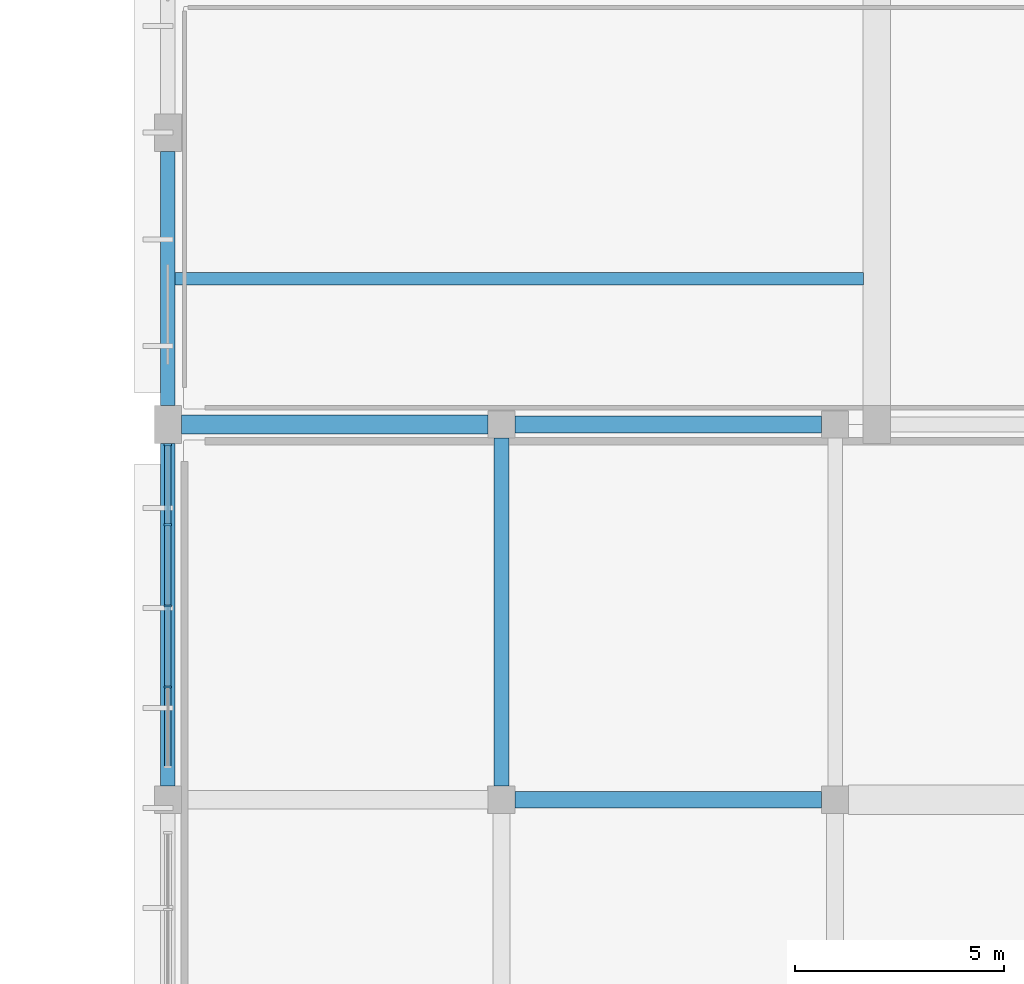
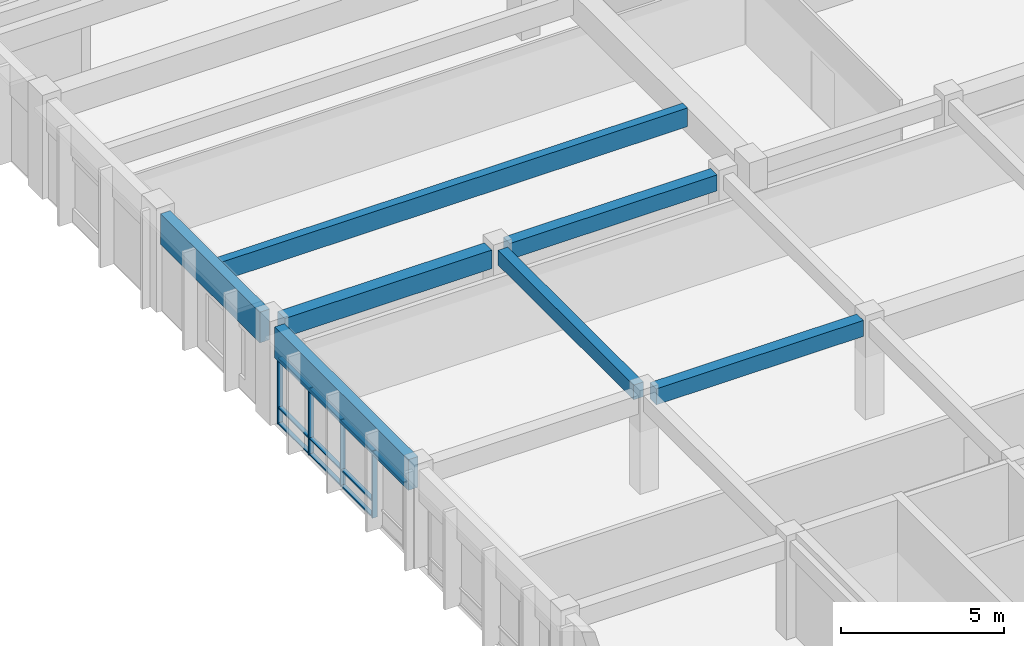
# One storey, part 13 of 98: 14 members, 7 beams, 1 element without a shape of its own.
"""IFC4 building model written with IfcOpenShell, lengths in metres."""

from ifc_helpers import new_model, si_unit, direction, frame, origin, origin_2d, place, context, subcontext, project, spatial, rectangle, extrude, material, material_profile, profile_set, type_object, element, aggregate, save


model = new_model("IFC4")

# Units and contexts
model_context = context("Model", 3, precision=1e-05, world=origin(), true_north=direction((0.0, 1.0)))
body_context = subcontext(model_context, "Body", "Model", "MODEL_VIEW")
ifc_project = project(units=[si_unit("LENGTHUNIT", "METRE"), si_unit("AREAUNIT", "SQUARE_METRE"), si_unit("VOLUMEUNIT", "CUBIC_METRE"), si_unit("PLANEANGLEUNIT", "RADIAN"), si_unit("MASSUNIT", "GRAM", prefix="KILO")], contexts=[model_context])

# Site, building, storey
site_placement = place(None, origin())
site = spatial("IfcSite", under=ifc_project, at=site_placement, CompositionType="ELEMENT")
building_placement = place(site_placement, origin())
building = spatial("IfcBuilding", under=site, at=building_placement, Name="Larkveld Mobility Hub", CompositionType="ELEMENT")
storey_placement = place(building_placement, frame((0.0, 0.0, 4.5)))
storey = spatial("IfcBuildingStorey", under=building, at=storey_placement, Name="L01", CompositionType="ELEMENT", Elevation=4.5)

# Beams
ifc_material_1 = material(Name="Precast concrete C50/60", Category="concrete")
ifc_material_profile_1 = material_profile(ifc_material_1, rectangle(XDim=0.300048828125, YDim=0.699951171875, at=origin_2d()), Name="PC DT 300x700")
ifc_profile_set_1 = profile_set([ifc_material_profile_1], Name="Precast concrete C50/60")
beam_type_1 = type_object("IfcBeamType", Name="BM-DT3070", PredefinedType="T_BEAM", material=ifc_profile_set_1)
beam_1_placement = place(storey_placement, frame((112.169921875, 31.5, 3.320068359375), z_axis=(1.0, 0.0, 0.0), x_axis=(0.0, 1.0, 0.0)))
element("IfcBeam", 1, at=beam_1_placement, inside=storey, type_object=beam_type_1, Name="Precast Double-Tee Stem L01-1049", PredefinedType="T_BEAM", context=body_context, shape_type="SweptSolid", body=[
    extrude(rectangle(XDim=0.300048828125, YDim=0.699951171875, at=origin_2d()), origin(), (0.0, 0.0, 1.0), 16.510009765625),
])
ifc_material_2 = material(Name="Concrete C40/50", Category="concrete")
ifc_material_profile_2 = material_profile(ifc_material_2, rectangle(XDim=0.35009765625, YDim=0.550048828125, at=origin_2d()), Name="RC BM 350x550")
ifc_profile_set_2 = profile_set([ifc_material_profile_2], Name="Concrete C40/50")
beam_type_2 = type_object("IfcBeamType", Name="BM-RC3555", PredefinedType="BEAM", material=ifc_profile_set_2)
beam_2_placement = place(storey_placement, frame((120.0, 19.324951171875, 3.385009765625), z_axis=(0.0, 1.0, 0.0), x_axis=(-1.0, 0.0, 0.0)))
element("IfcBeam", 2, at=beam_2_placement, inside=storey, type_object=beam_type_2, Name="Primary N-S Girder L01-0413", PredefinedType="BEAM", context=body_context, shape_type="SweptSolid", body=[
    extrude(rectangle(XDim=0.35009765625, YDim=0.550048828125, at=origin_2d()), origin(), (0.0, 0.0, 1.0), 8.35009765625),
])
ifc_material_profile_3 = material_profile(ifc_material_2, rectangle(XDim=0.39990234375, YDim=0.60009765625, at=origin_2d()), Name="RC BM 400x600")
ifc_profile_set_3 = profile_set([ifc_material_profile_3], Name="Concrete C40/50")
beam_type_3 = type_object("IfcBeamType", Name="BM-RC4060", PredefinedType="BEAM", material=ifc_profile_set_3)
for number, where, z_axis, x_axis, name in (
    (3, (120.324951171875, 19.0, 3.360107421875), (1.0, 0.0, 0.0), (0.0, 1.0, 0.0), "Primary E-W Girder L01-0257"),
    (4, (120.324951171875, 28.0, 3.360107421875), (1.0, 0.0, 0.0), (0.0, 1.0, 0.0), "Primary E-W Girder L01-0264"),
):
    element("IfcBeam", number, at=place(storey_placement, frame(where, z_axis=z_axis, x_axis=x_axis)), inside=storey, type_object=beam_type_3, Name=name, PredefinedType="BEAM", context=body_context, shape_type="SweptSolid", body=[
        extrude(rectangle(XDim=0.39990234375, YDim=0.60009765625, at=origin_2d()), origin(), (0.0, 0.0, 1.0), 7.35009765625),
    ])
ifc_material_profile_4 = material_profile(ifc_material_2, rectangle(XDim=0.449951171875, YDim=0.699951171875, at=origin_2d()), Name="RC BM 450x700")
ifc_profile_set_4 = profile_set([ifc_material_profile_4], Name="Concrete C40/50")
beam_type_4 = type_object("IfcBeamType", Name="BM-RC4570", PredefinedType="BEAM", material=ifc_profile_set_4)
beam_3_placement = place(storey_placement, frame((112.324951171875, 28.0, 3.31005859375), z_axis=(1.0, 0.0, 0.0), x_axis=(0.0, 1.0, 0.0)))
element("IfcBeam", 5, at=beam_3_placement, inside=storey, type_object=beam_type_4, Name="Primary E-W Girder L01-0263", PredefinedType="BEAM", context=body_context, shape_type="SweptSolid", body=[
    extrude(rectangle(XDim=0.449951171875, YDim=0.699951171875, at=origin_2d()), origin(), (0.0, 0.0, 1.0), 7.35009765625),
])
ifc_material_profile_5 = material_profile(ifc_material_1, rectangle(XDim=0.35009765625, YDim=1.14990234375, at=origin_2d()), Name="PC SP 350x1150")
ifc_profile_set_5 = profile_set([ifc_material_profile_5], Name="Precast concrete C50/60")
beam_type_5 = type_object("IfcBeamType", Name="BM-SP35115", PredefinedType="SPANDREL", material=ifc_profile_set_5)
beam_4_placement = place(storey_placement, frame((112.0, 19.324951171875, 3.0849609375), z_axis=(0.0, 1.0, 0.0), x_axis=(-1.0, 0.0, 0.0)))
element("IfcBeam", 6, at=beam_4_placement, inside=storey, type_object=beam_type_5, Name="Primary N-S Girder L01-0396", PredefinedType="SPANDREL", context=body_context, shape_type="SweptSolid", body=[
    extrude(rectangle(XDim=0.35009765625, YDim=1.14990234375, at=origin_2d()), origin(), (0.0, 0.0, 1.0), 8.22509765625),
])
beam_5_placement = place(storey_placement, frame((112.0, 28.449951171875, 3.0849609375), z_axis=(0.0, 1.0, 0.0), x_axis=(-1.0, 0.0, 0.0)))
element("IfcBeam", 7, at=beam_5_placement, inside=storey, type_object=beam_type_5, Name="Primary N-S Girder L01-0397", PredefinedType="SPANDREL", context=body_context, shape_type="SweptSolid", body=[
    extrude(rectangle(XDim=0.35009765625, YDim=1.14990234375, at=origin_2d()), origin(), (0.0, 0.0, 1.0), 6.10009765625),
])

# Curtain wall, members
ifc_material_3 = material(Name="Anodised aluminium 6063-T6", Category="aluminium")
curtain_wall_type = type_object("IfcCurtainWallType", Name="CW-SYS-02", PredefinedType="NOTDEFINED", material=ifc_material_3)
curtain_wall_placement = place(storey_placement, origin())
curtain_wall = element("IfcCurtainWall", 8, at=curtain_wall_placement, inside=storey, type_object=curtain_wall_type, Name="Public Passage East Service Facade L01 CW-098", PredefinedType="NOTDEFINED")
ifc_material_profile_6 = material_profile(ifc_material_3, rectangle(XDim=0.050048828125, YDim=0.179931640625, at=origin_2d()), Name="ALU MULL 50x180")
ifc_profile_set_6 = profile_set([ifc_material_profile_6], Name="Anodised aluminium 6063-T6")
member_type_1 = type_object("IfcMemberType", Name="CW-MUL-02", PredefinedType="MULLION", material=ifc_profile_set_6)
member_1_placement = place(storey_placement, frame((112.0, 27.514892578125, -0.001953125), z_axis=(0.0, 0.0, 1.0), x_axis=(0.0, -1.0, 0.0)))
member_1 = element("IfcMember", 9, at=member_1_placement, type_object=member_type_1, Name="CW02 mullion 1", PredefinedType="MULLION", context=body_context, shape_type="SweptSolid", body=[
    extrude(rectangle(XDim=0.050048828125, YDim=0.179931640625, at=origin_2d()), origin(), (0.0, 0.0, 1.0), 2.511962890625),
])
member_2_placement = place(storey_placement, frame((112.0, 25.595947265625, -0.001953125), z_axis=(0.0, 0.0, 1.0), x_axis=(0.0, -1.0, 0.0)))
member_2 = element("IfcMember", 10, at=member_2_placement, type_object=member_type_1, Name="CW02 mullion 2", PredefinedType="MULLION", context=body_context, shape_type="SweptSolid", body=[
    extrude(rectangle(XDim=0.050048828125, YDim=0.179931640625, at=origin_2d()), origin(), (0.0, 0.0, 1.0), 2.511962890625),
])
member_3_placement = place(storey_placement, frame((112.0, 23.652099609375, -0.001953125), z_axis=(0.0, 0.0, 1.0), x_axis=(0.0, -1.0, 0.0)))
member_3 = element("IfcMember", 11, at=member_3_placement, type_object=member_type_1, Name="CW02 mullion 3", PredefinedType="MULLION", context=body_context, shape_type="SweptSolid", body=[
    extrude(rectangle(XDim=0.050048828125, YDim=0.179931640625, at=origin_2d()), origin(), (0.0, 0.0, 1.0), 2.511962890625),
])
member_4_placement = place(storey_placement, frame((112.0, 21.708984375, -0.001953125), z_axis=(0.0, 0.0, 1.0), x_axis=(0.0, -1.0, 0.0)))
member_4 = element("IfcMember", 12, at=member_4_placement, type_object=member_type_1, Name="CW02 mullion 4", PredefinedType="MULLION", context=body_context, shape_type="SweptSolid", body=[
    extrude(rectangle(XDim=0.050048828125, YDim=0.179931640625, at=origin_2d()), origin(), (0.0, 0.0, 1.0), 2.511962890625),
])
ifc_material_profile_7 = material_profile(ifc_material_3, rectangle(XDim=0.14990234375, YDim=0.050048828125, at=origin_2d()), Name="ALU TRAN 50x150")
ifc_profile_set_7 = profile_set([ifc_material_profile_7], Name="Anodised aluminium 6063-T6")
member_type_2 = type_object("IfcMemberType", Name="CW-TRN-02", PredefinedType="USERDEFINED", material=ifc_profile_set_7)
member_5_placement = place(storey_placement, frame((112.0, 27.5048828125, 0.030029296875), z_axis=(0.0, -1.0, 0.0), x_axis=(1.0, 0.0, 0.0)))
member_5 = element("IfcMember", 13, at=member_5_placement, type_object=member_type_2, Name="CW02 transom 1.1", ObjectType="TRANSOM", PredefinedType="USERDEFINED", context=body_context, shape_type="SweptSolid", body=[
    extrude(rectangle(XDim=0.14990234375, YDim=0.050048828125, at=origin_2d()), origin(), (0.0, 0.0, 1.0), 1.893798828125),
])
member_6_placement = place(storey_placement, frame((112.0, 27.5048828125, 0.626953125), z_axis=(0.0, -1.0, 0.0), x_axis=(1.0, 0.0, 0.0)))
member_6 = element("IfcMember", 14, at=member_6_placement, type_object=member_type_2, Name="CW02 transom 1.2", ObjectType="TRANSOM", PredefinedType="USERDEFINED", context=body_context, shape_type="SweptSolid", body=[
    extrude(rectangle(XDim=0.14990234375, YDim=0.050048828125, at=origin_2d()), origin(), (0.0, 0.0, 1.0), 1.893798828125),
])
member_7_placement = place(storey_placement, frame((112.0, 27.5048828125, 2.47802734375), z_axis=(0.0, -1.0, 0.0), x_axis=(1.0, 0.0, 0.0)))
member_7 = element("IfcMember", 15, at=member_7_placement, type_object=member_type_2, Name="CW02 transom 1.3", ObjectType="TRANSOM", PredefinedType="USERDEFINED", context=body_context, shape_type="SweptSolid", body=[
    extrude(rectangle(XDim=0.14990234375, YDim=0.050048828125, at=origin_2d()), origin(), (0.0, 0.0, 1.0), 1.893798828125),
])
member_8_placement = place(storey_placement, frame((112.0, 25.5810546875, 0.030029296875), z_axis=(0.0, -1.0, 0.0), x_axis=(1.0, 0.0, 0.0)))
member_8 = element("IfcMember", 16, at=member_8_placement, type_object=member_type_2, Name="CW02 transom 2.1", ObjectType="TRANSOM", PredefinedType="USERDEFINED", context=body_context, shape_type="SweptSolid", body=[
    extrude(rectangle(XDim=0.14990234375, YDim=0.050048828125, at=origin_2d()), origin(), (0.0, 0.0, 1.0), 1.9130859375),
])
member_9_placement = place(storey_placement, frame((112.0, 25.5810546875, 0.626953125), z_axis=(0.0, -1.0, 0.0), x_axis=(1.0, 0.0, 0.0)))
member_9 = element("IfcMember", 17, at=member_9_placement, type_object=member_type_2, Name="CW02 transom 2.2", ObjectType="TRANSOM", PredefinedType="USERDEFINED", context=body_context, shape_type="SweptSolid", body=[
    extrude(rectangle(XDim=0.14990234375, YDim=0.050048828125, at=origin_2d()), origin(), (0.0, 0.0, 1.0), 1.9130859375),
])
member_10_placement = place(storey_placement, frame((112.0, 25.5810546875, 2.47802734375), z_axis=(0.0, -1.0, 0.0), x_axis=(1.0, 0.0, 0.0)))
member_10 = element("IfcMember", 18, at=member_10_placement, type_object=member_type_2, Name="CW02 transom 2.3", ObjectType="TRANSOM", PredefinedType="USERDEFINED", context=body_context, shape_type="SweptSolid", body=[
    extrude(rectangle(XDim=0.14990234375, YDim=0.050048828125, at=origin_2d()), origin(), (0.0, 0.0, 1.0), 1.9130859375),
])
member_11_placement = place(storey_placement, frame((112.0, 23.636962890625, 0.030029296875), z_axis=(0.0, -1.0, 0.0), x_axis=(1.0, 0.0, 0.0)))
member_11 = element("IfcMember", 19, at=member_11_placement, type_object=member_type_2, Name="CW02 transom 3.1", ObjectType="TRANSOM", PredefinedType="USERDEFINED", context=body_context, shape_type="SweptSolid", body=[
    extrude(rectangle(XDim=0.14990234375, YDim=0.050048828125, at=origin_2d()), origin(), (0.0, 0.0, 1.0), 1.912841796875),
])
member_12_placement = place(storey_placement, frame((112.0, 23.636962890625, 0.626953125), z_axis=(0.0, -1.0, 0.0), x_axis=(1.0, 0.0, 0.0)))
member_12 = element("IfcMember", 20, at=member_12_placement, type_object=member_type_2, Name="CW02 transom 3.2", ObjectType="TRANSOM", PredefinedType="USERDEFINED", context=body_context, shape_type="SweptSolid", body=[
    extrude(rectangle(XDim=0.14990234375, YDim=0.050048828125, at=origin_2d()), origin(), (0.0, 0.0, 1.0), 1.912841796875),
])
member_13_placement = place(storey_placement, frame((112.0, 23.636962890625, 2.47802734375), z_axis=(0.0, -1.0, 0.0), x_axis=(1.0, 0.0, 0.0)))
member_13 = element("IfcMember", 21, at=member_13_placement, type_object=member_type_2, Name="CW02 transom 3.3", ObjectType="TRANSOM", PredefinedType="USERDEFINED", context=body_context, shape_type="SweptSolid", body=[
    extrude(rectangle(XDim=0.14990234375, YDim=0.050048828125, at=origin_2d()), origin(), (0.0, 0.0, 1.0), 1.912841796875),
])
member_14_placement = place(storey_placement, frame((112.0, 21.694091796875, 2.47802734375), z_axis=(0.0, -1.0, 0.0), x_axis=(1.0, 0.0, 0.0)))
member_14 = element("IfcMember", 22, at=member_14_placement, type_object=member_type_2, Name="CW02 transom 4.3", ObjectType="TRANSOM", PredefinedType="USERDEFINED", context=body_context, shape_type="SweptSolid", body=[
    extrude(rectangle(XDim=0.14990234375, YDim=0.050048828125, at=origin_2d()), origin(), (0.0, 0.0, 1.0), 1.89404296875),
])
aggregate(curtain_wall, [member_1, member_2, member_3, member_4, member_5, member_6, member_7, member_8, member_9, member_10, member_11, member_12, member_13, member_14])

save(model, "model.ifc")
